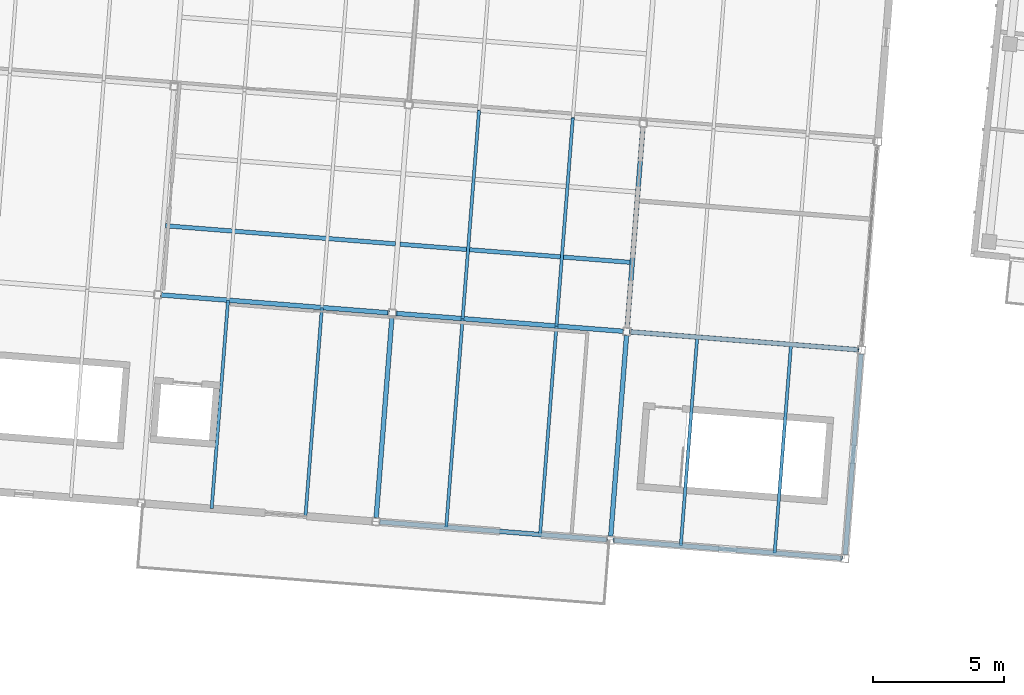
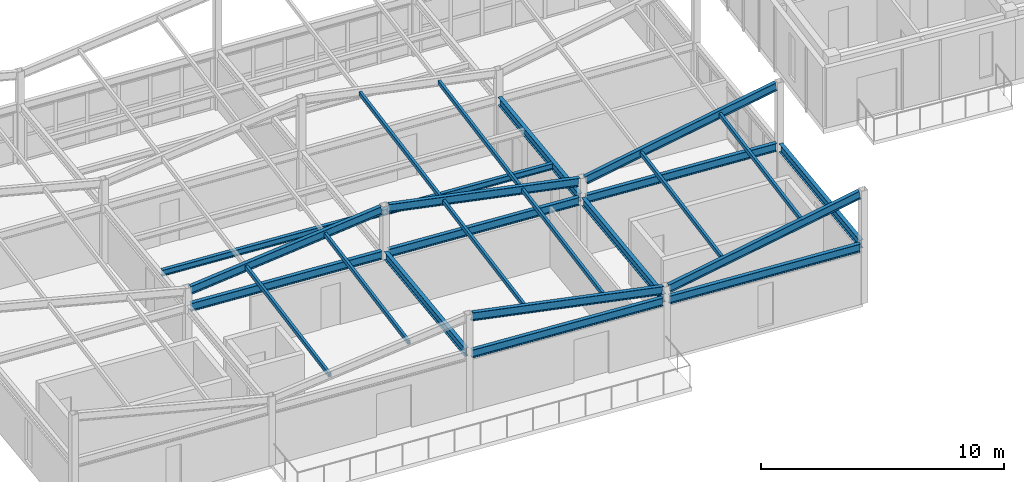
# One storey, part 41 of 127: 16 beams, 8 members.
"""IFC4 building model written with IfcOpenShell, lengths in metres."""

from ifc_helpers import new_model, si_unit, direction, frame, origin, origin_2d, place, context, subcontext, project, spatial, hollow_rectangle, i_section, extrude, material, material_profile, profile_set, type_object, element, save


model = new_model("IFC4")

# Units and contexts
model_context = context("Model", 3, precision=1e-05, world=origin(), true_north=direction((0.0, 1.0)))
body_context = subcontext(model_context, "Body", "Model", "MODEL_VIEW")
ifc_project = project(units=[si_unit("LENGTHUNIT", "METRE"), si_unit("AREAUNIT", "SQUARE_METRE"), si_unit("VOLUMEUNIT", "CUBIC_METRE"), si_unit("PLANEANGLEUNIT", "RADIAN"), si_unit("MASSUNIT", "GRAM", prefix="KILO")], contexts=[model_context])

# Site, building, storey
site_placement = place(None, origin())
site = spatial("IfcSite", under=ifc_project, at=site_placement, CompositionType="ELEMENT")
building_placement = place(site_placement, origin())
building = spatial("IfcBuilding", under=site, at=building_placement, Name="Kestramere Prow Commons", CompositionType="ELEMENT")
storey_placement = place(building_placement, frame((0.0, 0.0, 8.39990234375)))
storey = spatial("IfcBuildingStorey", under=building, at=storey_placement, Name="L02", CompositionType="ELEMENT", Elevation=8.39990234375)

# Beams
ifc_material = material(Name="Steel S355JR", Category="steel")
ifc_material_profile_1 = material_profile(ifc_material, i_section(OverallWidth=0.177978515625, OverallDepth=0.406494140625, WebThickness=0.0078125, FlangeThickness=0.0126953125, FilletRadius=0.01025390625, at=origin_2d()), Name="UB 406x178x60")
ifc_profile_set_1 = profile_set([ifc_material_profile_1], Name="Steel S355JR")
beam_type_1 = type_object("IfcBeamType", Name="BM-NR-01 UB 406x178x60", PredefinedType="BEAM", material=ifc_profile_set_1)
beam_1_placement = place(storey_placement, frame((78.349365234375, 92.75732421875, 2.796875), z_axis=(0.996919433544, -0.078432410537, 0.0), x_axis=(0.078432410537, 0.996919433544, 0.0)))
element("IfcBeam", 1, at=beam_1_placement, inside=storey, type_object=beam_type_1, Name="Nursery L02 Beam U 2-2", PredefinedType="BEAM", context=body_context, shape_type="SweptSolid", body=[
    extrude(i_section(OverallWidth=0.177978515625, OverallDepth=0.406494140625, WebThickness=0.0078125, FlangeThickness=0.0126953125, FilletRadius=0.01025390625, at=origin_2d()), origin(), (0.0, 0.0, 1.0), 8.7001953125),
])
for number, where, z_axis, x_axis, name in (
    (2, (87.32177734375, 92.05126953125, 2.796875), (0.996917066238, -0.078462494502, 0.0), (0.078462494502, 0.996917066238, 0.0), "Nursery L02 Beam U 2-3"),
    (3, (96.2939453125, 91.34521484375, 2.796875), (0.996917066238, -0.078462494502, 0.0), (0.078462494502, 0.996917066238, 0.0), "Nursery L02 Beam U 2-4"),
):
    element("IfcBeam", number, at=place(storey_placement, frame(where, z_axis=z_axis, x_axis=x_axis)), inside=storey, type_object=beam_type_1, Name=name, PredefinedType="BEAM", context=body_context, shape_type="SweptSolid", body=[
        extrude(i_section(OverallWidth=0.177978515625, OverallDepth=0.406494140625, WebThickness=0.0078125, FlangeThickness=0.0126953125, FilletRadius=0.01025390625, at=origin_2d()), origin(), (0.0, 0.0, 1.0), 8.699951171875),
    ])
for number, where, z_axis, x_axis, name in (
    (4, (86.556396484375, 84.2373046875, 2.796875), (0.078442108986, 0.996918670473, 0.0), (-0.996918670473, 0.078442108986, 0.0), "Nursery L02 Beam V 3-1"),
    (5, (95.528564453125, 83.53125, 2.796875), (0.078442108986, 0.996918670473, 0.0), (-0.996918670473, 0.078442108986, 0.0), "Nursery L02 Beam V 4-1"),
    (6, (96.15625, 91.506591796875, 2.796875), (0.078442108986, 0.996918670473, 0.0), (-0.996918670473, 0.078442108986, 0.0), "Nursery L02 Beam V 4-2"),
):
    element("IfcBeam", number, at=place(storey_placement, frame(where, z_axis=z_axis, x_axis=x_axis)), inside=storey, type_object=beam_type_1, Name=name, PredefinedType="BEAM", context=body_context, shape_type="SweptSolid", body=[
        extrude(i_section(OverallWidth=0.177978515625, OverallDepth=0.406494140625, WebThickness=0.0078125, FlangeThickness=0.0126953125, FilletRadius=0.01025390625, at=origin_2d()), origin(), (0.0, 0.0, 1.0), 7.699951171875),
    ])
beam_2_placement = place(storey_placement, frame((78.349365234375, 92.75732421875, 3.650146484375), z_axis=(0.98425496794, -0.077436036576, 0.158889327285), x_axis=(0.078432410537, 0.996919433544, 0.0)))
element("IfcBeam", 7, at=beam_2_placement, inside=storey, type_object=beam_type_1, Name="Nursery Butterfly Rafter 2-2", PredefinedType="BEAM", context=body_context, shape_type="SweptSolid", body=[
    extrude(i_section(OverallWidth=0.177978515625, OverallDepth=0.406494140625, WebThickness=0.0078125, FlangeThickness=0.0126953125, FilletRadius=0.01025390625, at=origin_2d()), origin(), (0.0, 0.0, 1.0), 8.81201171875),
])
beam_3_placement = place(storey_placement, frame((87.32177734375, 92.05126953125, 5.05029296875), z_axis=(0.985969484582, -0.077600863586, -0.147791344276), x_axis=(0.078462494502, 0.996917066238, 0.0)))
element("IfcBeam", 8, at=beam_3_placement, inside=storey, type_object=beam_type_1, Name="Nursery Butterfly Rafter 2-3", PredefinedType="BEAM", context=body_context, shape_type="SweptSolid", body=[
    extrude(i_section(OverallWidth=0.177978515625, OverallDepth=0.406494140625, WebThickness=0.0078125, FlangeThickness=0.0126953125, FilletRadius=0.01025390625, at=origin_2d()), origin(), (0.0, 0.0, 1.0), 8.796630859375),
])
beam_4_placement = place(storey_placement, frame((96.2939453125, 91.34521484375, 3.750244140625), z_axis=(0.969082353099, -0.076271759585, 0.234652959926), x_axis=(0.078462494502, 0.996917066238, 0.0)))
element("IfcBeam", 9, at=beam_4_placement, inside=storey, type_object=beam_type_1, Name="Nursery Butterfly Rafter 2-4", PredefinedType="BEAM", context=body_context, shape_type="SweptSolid", body=[
    extrude(i_section(OverallWidth=0.177978515625, OverallDepth=0.406494140625, WebThickness=0.0078125, FlangeThickness=0.0126953125, FilletRadius=0.01025390625, at=origin_2d()), origin(), (0.0, 0.0, 1.0), 8.94970703125),
])
ifc_material_profile_2 = material_profile(ifc_material, i_section(OverallWidth=0.177978515625, OverallDepth=0.406494140625, WebThickness=0.0078125, FlangeThickness=0.0126953125, FilletRadius=0.01025390625, at=origin_2d()), Name="UB 406x178x60")
ifc_profile_set_2 = profile_set([ifc_material_profile_2], Name="Steel S355JR")
beam_type_2 = type_object("IfcBeamType", Name="BM-NR-01 UB 406x178x60 (EX)", PredefinedType="BEAM", material=ifc_profile_set_2)
beam_5_placement = place(storey_placement, frame((86.694091796875, 84.075927734375, 2.796875), z_axis=(0.996917066238, -0.078462494502, 0.0), x_axis=(0.078462494502, 0.996917066238, 0.0)))
element("IfcBeam", 10, at=beam_5_placement, inside=storey, type_object=beam_type_2, Name="Nursery L02 Beam U 1-3", PredefinedType="BEAM", context=body_context, shape_type="SweptSolid", body=[
    extrude(i_section(OverallWidth=0.177978515625, OverallDepth=0.406494140625, WebThickness=0.0078125, FlangeThickness=0.0126953125, FilletRadius=0.01025390625, at=origin_2d()), origin(), (0.0, 0.0, 1.0), 8.699951171875),
])
beam_6_placement = place(storey_placement, frame((95.666259765625, 83.369873046875, 2.796875), z_axis=(0.996917238993, -0.078460299505, 0.0), x_axis=(0.078460299505, 0.996917238993, 0.0)))
element("IfcBeam", 11, at=beam_6_placement, inside=storey, type_object=beam_type_2, Name="Nursery L02 Beam U 1-4", PredefinedType="BEAM", context=body_context, shape_type="SweptSolid", body=[
    extrude(i_section(OverallWidth=0.177978515625, OverallDepth=0.406494140625, WebThickness=0.0078125, FlangeThickness=0.0126953125, FilletRadius=0.01025390625, at=origin_2d()), origin(), (0.0, 0.0, 1.0), 8.7001953125),
])
beam_7_placement = place(storey_placement, frame((104.500732421875, 82.824951171875, 2.796875), z_axis=(0.078473620365, 0.996916190513, 0.0), x_axis=(-0.996916190513, 0.078473620365, 0.0)))
element("IfcBeam", 12, at=beam_7_placement, inside=storey, type_object=beam_type_2, Name="Nursery L02 Beam V 5-1", PredefinedType="BEAM", context=body_context, shape_type="SweptSolid", body=[
    extrude(i_section(OverallWidth=0.177978515625, OverallDepth=0.406494140625, WebThickness=0.0078125, FlangeThickness=0.0126953125, FilletRadius=0.01025390625, at=origin_2d()), origin(), (0.0, 0.0, 1.0), 7.699951171875),
])
beam_8_placement = place(storey_placement, frame((86.694091796875, 84.075927734375, 4.6669921875), z_axis=(0.985969484582, -0.077600863586, -0.147791344276), x_axis=(0.078462494502, 0.996917066238, 0.0)))
element("IfcBeam", 13, at=beam_8_placement, inside=storey, type_object=beam_type_2, Name="Nursery Butterfly Rafter 1-3", PredefinedType="BEAM", context=body_context, shape_type="SweptSolid", body=[
    extrude(i_section(OverallWidth=0.177978515625, OverallDepth=0.406494140625, WebThickness=0.0078125, FlangeThickness=0.0126953125, FilletRadius=0.01025390625, at=origin_2d()), origin(), (0.0, 0.0, 1.0), 8.796630859375),
])
beam_9_placement = place(storey_placement, frame((95.666259765625, 83.369873046875, 3.366943359375), z_axis=(0.969090216302, -0.076270231514, 0.23462098042), x_axis=(0.078460299505, 0.996917238993, 0.0)))
element("IfcBeam", 14, at=beam_9_placement, inside=storey, type_object=beam_type_2, Name="Nursery Butterfly Rafter 1-4", PredefinedType="BEAM", context=body_context, shape_type="SweptSolid", body=[
    extrude(i_section(OverallWidth=0.177978515625, OverallDepth=0.406494140625, WebThickness=0.0078125, FlangeThickness=0.0126953125, FilletRadius=0.01025390625, at=origin_2d()), origin(), (0.0, 0.0, 1.0), 8.949951171875),
])
ifc_material_profile_3 = material_profile(ifc_material, i_section(OverallWidth=0.1650390625, OverallDepth=0.303466796875, WebThickness=0.006103515625, FlangeThickness=0.01025390625, FilletRadius=0.0087890625, at=origin_2d()), Name="UB 305x165x40")
ifc_profile_set_3 = profile_set([ifc_material_profile_3], Name="Steel S355JR")
beam_type_3 = type_object("IfcBeamType", Name="JST-NR-01 UB 305x165x40", PredefinedType="JOIST", material=ifc_profile_set_3)
for number, where, z_axis, x_axis, name in (
    (15, (78.49658203125, 95.404052734375, 2.848388671875), (0.996917659029, -0.07845496234, 0.0), (0.07845496234, 0.996917659029, 0.0), "Nursery L02 Secondary Joist 2-2"),
    (16, (87.46875, 94.697998046875, 2.848388671875), (0.996917659029, -0.07845496234, 0.0), (0.07845496234, 0.996917659029, 0.0), "Nursery L02 Secondary Joist 3-2"),
):
    element("IfcBeam", number, at=place(storey_placement, frame(where, z_axis=z_axis, x_axis=x_axis)), inside=storey, type_object=beam_type_3, Name=name, PredefinedType="JOIST", context=body_context, shape_type="SweptSolid", body=[
        extrude(i_section(OverallWidth=0.1650390625, OverallDepth=0.303466796875, WebThickness=0.006103515625, FlangeThickness=0.01025390625, FilletRadius=0.0087890625, at=origin_2d()), origin(), (0.0, 0.0, 1.0), 8.822021484375),
    ])

# Members
ifc_material_profile_4 = material_profile(ifc_material, hollow_rectangle(XDim=0.1201171875, YDim=0.199951171875, WallThickness=0.008056640625, at=origin_2d()), Name="RHS 200x120x8")
ifc_profile_set_4 = profile_set([ifc_material_profile_4], Name="Steel S355JR")
member_type = type_object("IfcMemberType", Name="PUR-NR-01 RHS 200x120x8", PredefinedType="PURLIN", material=ifc_profile_set_4)
for number, where, z_axis, x_axis, name in (
    (17, (80.2646484375, 84.590087890625, 3.627197265625), (0.078346275362, 0.995776578193, 0.047863007209), (-0.996919137737, 0.078436170311, 0.0), "Nursery Roof Purlin 2-1-3"),
    (18, (83.853515625, 84.3076171875, 4.187255859375), (0.078376632124, 0.995774194807, 0.047862892649), (-0.996916746138, 0.078466561473, 0.0), "Nursery Roof Purlin 2-1-7"),
):
    element("IfcMember", number, at=place(storey_placement, frame(where, z_axis=z_axis, x_axis=x_axis)), inside=storey, type_object=member_type, Name=name, PredefinedType="PURLIN", context=body_context, shape_type="SweptSolid", body=[
        extrude(hollow_rectangle(XDim=0.1201171875, YDim=0.199951171875, WallThickness=0.008056640625, at=origin_2d()), origin(), (0.0, 0.0, 1.0), 7.992919921875),
    ])
for number, where, z_axis, x_axis, name in (
    (19, (89.23681640625, 83.8837890625, 4.21728515625), (0.078374248355, 0.995774452398, 0.047861436934), (-0.996916934406, 0.078464169489, 0.0), "Nursery Roof Purlin 3-1-3"),
    (20, (89.864501953125, 91.859130859375, 4.6005859375), (0.078374248355, 0.995774452398, 0.047861436934), (-0.996916934406, 0.078464169489, 0.0), "Nursery Roof Purlin 3-2-3"),
    (21, (92.82568359375, 83.601318359375, 3.697265625), (0.078374248355, 0.995774452398, 0.047861436934), (-0.996916934406, 0.078464169489, 0.0), "Nursery Roof Purlin 3-1-7"),
    (22, (93.453369140625, 91.57666015625, 4.08056640625), (0.078374248355, 0.995774452398, 0.047861436934), (-0.996916934406, 0.078464169489, 0.0), "Nursery Roof Purlin 3-2-7"),
    (23, (98.208984375, 83.177734375, 3.937255859375), (0.078374248355, 0.995774452398, 0.047861436934), (-0.996916934406, 0.078464169489, 0.0), "Nursery Roof Purlin 4-1-3"),
    (24, (101.798095703125, 82.895263671875, 4.77734375), (0.078343892504, 0.99577683564, 0.047861551483), (-0.99691932586, 0.078433779242, 0.0), "Nursery Roof Purlin 4-1-7"),
):
    element("IfcMember", number, at=place(storey_placement, frame(where, z_axis=z_axis, x_axis=x_axis)), inside=storey, type_object=member_type, Name=name, PredefinedType="PURLIN", context=body_context, shape_type="SweptSolid", body=[
        extrude(hollow_rectangle(XDim=0.1201171875, YDim=0.199951171875, WallThickness=0.008056640625, at=origin_2d()), origin(), (0.0, 0.0, 1.0), 7.9931640625),
    ])

save(model, "model.ifc")
